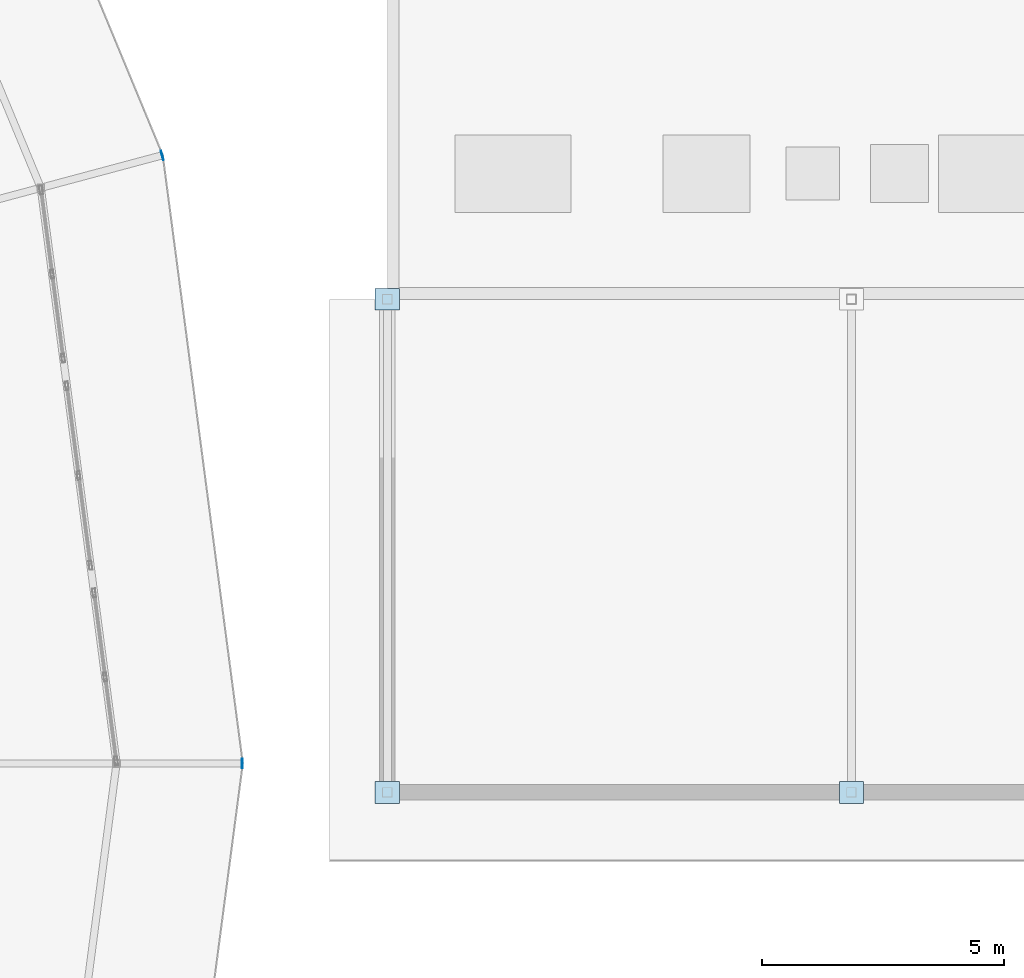
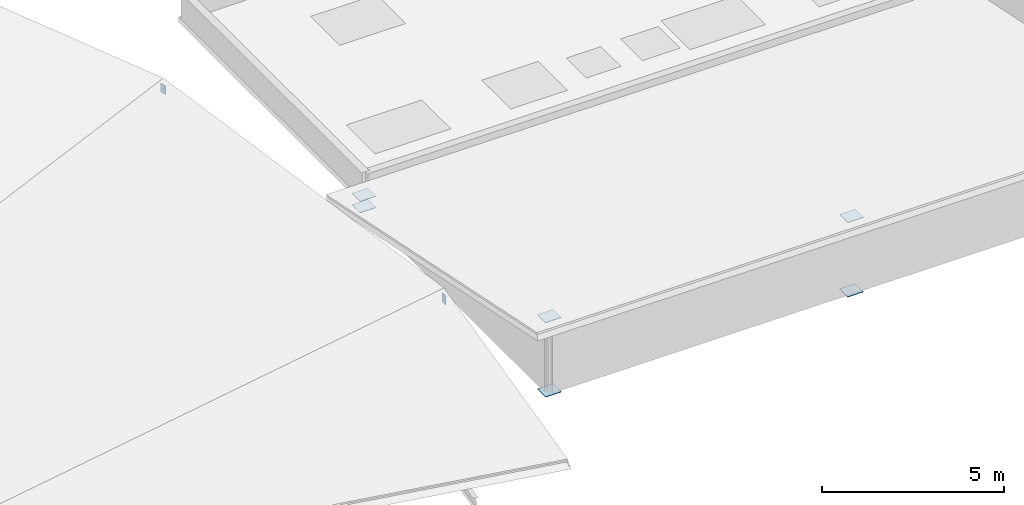
# One storey, part 174 of 200: 8 plates.
"""IFC4 building model written with IfcOpenShell, lengths in metres."""

from ifc_helpers import new_model, si_unit, direction, frame, origin, origin_2d, place, context, subcontext, project, spatial, rectangle, extrude, material, layer, layer_set, type_object, element, save


model = new_model("IFC4")

# Units and contexts
model_context = context("Model", 3, precision=1e-05, world=origin(), true_north=direction((0.0, 1.0)))
body_context = subcontext(model_context, "Body", "Model", "MODEL_VIEW")
ifc_project = project(units=[si_unit("LENGTHUNIT", "METRE"), si_unit("AREAUNIT", "SQUARE_METRE"), si_unit("VOLUMEUNIT", "CUBIC_METRE"), si_unit("PLANEANGLEUNIT", "RADIAN"), si_unit("MASSUNIT", "GRAM", prefix="KILO")], contexts=[model_context])

# Site, building, storey
site_placement = place(None, origin())
site = spatial("IfcSite", under=ifc_project, at=site_placement, CompositionType="ELEMENT")
building_placement = place(site_placement, origin())
building = spatial("IfcBuilding", under=site, at=building_placement, Name="Vondelvale Polytechnic", CompositionType="ELEMENT")
storey_placement = place(building_placement, frame((0.0, 0.0, 13.800048828125)))
storey = spatial("IfcBuildingStorey", under=building, at=storey_placement, Name="L03", CompositionType="ELEMENT", Elevation=13.800048828125)

# Plates
ifc_material = material(Name="Steel Grade 350 (fy = 340 MPa)", Category="steel")
ifc_layer_1 = layer(ifc_material, 0.01611328125)
ifc_layer_set_1 = layer_set([ifc_layer_1], Name="PLATE-CAP-300x200")
plate_type_1 = type_object("IfcPlateType", Name="PLATE-CAP-300x200", PredefinedType="USERDEFINED", material=ifc_layer_set_1)
for number, where, z_axis, x_axis, name in (
    (1, (150.60009765625, 72.0, 3.61572265625), (0.0, 0.0, 1.0), (-1.0, 0.0, 0.0), "Ring rafter hollow end cap plate 00O"),
    (2, (148.944091796875, 84.57861328125, 3.61572265625), (0.0, 0.0, 1.0), (-0.965925826289, -0.258819045103, 0.0), "Ring rafter hollow end cap plate 01O"),
):
    element("IfcPlate", number, at=place(storey_placement, frame(where, z_axis=z_axis, x_axis=x_axis)), inside=storey, type_object=plate_type_1, Name=name, ObjectType="CAP_PLATE", PredefinedType="USERDEFINED", context=body_context, shape_type="SweptSolid", body=[
        extrude(rectangle(XDim=0.01611328125, YDim=0.199951171875, at=origin_2d()), origin(), (0.0, 0.0, 1.0), 0.300048828125),
    ])
ifc_layer_2 = layer(ifc_material, 0.01611328125)
ifc_layer_set_2 = layer_set([ifc_layer_2], Name="PLATE-GUSSET-16")
plate_type_2 = type_object("IfcPlateType", Name="PLATE-GUSSET-16", PredefinedType="USERDEFINED", material=ifc_layer_set_2)
for number, where, z_axis, x_axis, name in (
    (3, (153.60009765625, 71.39990234375, -0.008056640625), (0.0, 0.0, 1.0), (1.0, 0.0, 0.0), "Refectory roof post B connection plate"),
    (4, (153.60009765625, 71.39990234375, 2.486083984375), (0.0, 0.0, 1.0), (1.0, 0.0, 0.0), "Refectory roof post T connection plate"),
    (5, (153.60009765625, 81.60009765625, -0.008056640625), (0.0, 0.0, 1.0), (1.0, 0.0, 0.0), "Refectory roof post B connection plate"),
    (6, (153.60009765625, 81.60009765625, 0.3759765625), (0.0, 0.0, 1.0), (1.0, 0.0, 0.0), "Refectory roof post T connection plate"),
    (7, (163.199951171875, 71.39990234375, -0.008056640625), (0.0, 0.0, 1.0), (1.0, 0.0, 0.0), "Refectory roof post B connection plate"),
    (8, (163.199951171875, 71.39990234375, 2.486083984375), (0.0, 0.0, 1.0), (1.0, 0.0, 0.0), "Refectory roof post T connection plate"),
):
    element("IfcPlate", number, at=place(storey_placement, frame(where, z_axis=z_axis, x_axis=x_axis)), inside=storey, type_object=plate_type_2, Name=name, ObjectType="GUSSET_PLATE", PredefinedType="USERDEFINED", context=body_context, shape_type="SweptSolid", body=[
        extrude(rectangle(XDim=0.5, YDim=0.449951171875, at=origin_2d()), origin(), (0.0, 0.0, 1.0), 0.01611328125),
    ])

save(model, "model.ifc")
